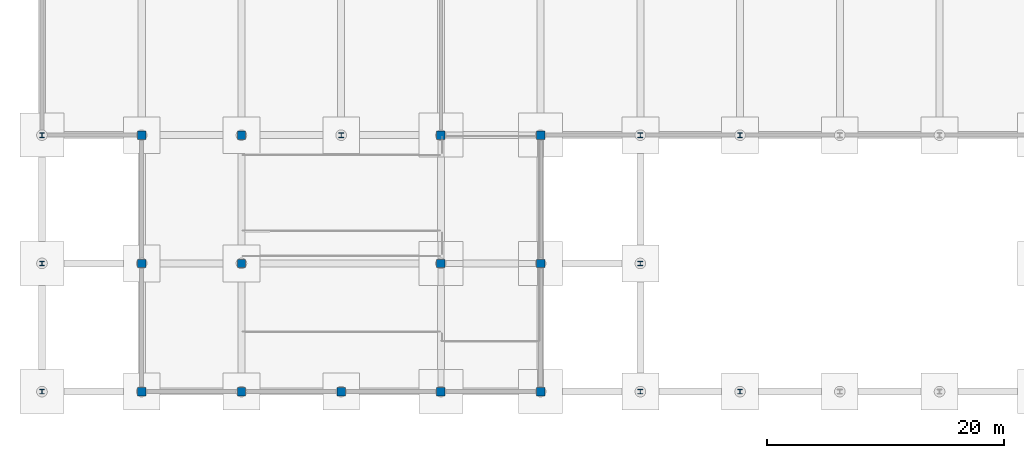
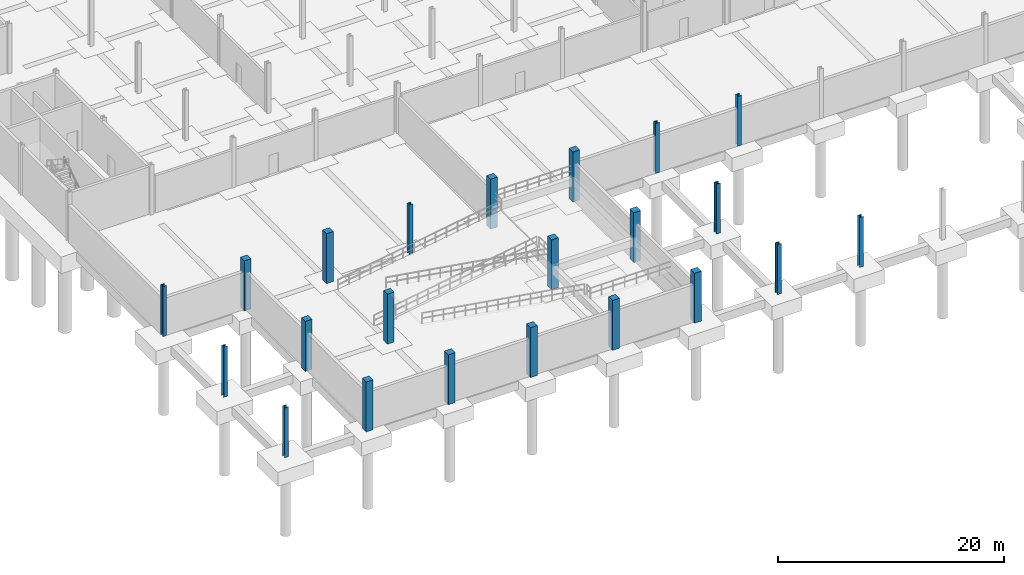
# One storey, part 7 of 36: 22 columns.
"""IFC4 building model written with IfcOpenShell, lengths in metres."""

from ifc_helpers import new_model, si_unit, direction, frame, origin, origin_2d, place, context, subcontext, project, spatial, rectangle, i_section, extrude, material, material_profile, profile_set, type_object, element, save


model = new_model("IFC4")

# Units and contexts
model_context = context("Model", 3, precision=1e-05, world=origin(), true_north=direction((0.0, 1.0)))
body_context = subcontext(model_context, "Body", "Model", "MODEL_VIEW")
ifc_project = project(units=[si_unit("LENGTHUNIT", "METRE"), si_unit("AREAUNIT", "SQUARE_METRE"), si_unit("VOLUMEUNIT", "CUBIC_METRE"), si_unit("PLANEANGLEUNIT", "RADIAN"), si_unit("MASSUNIT", "GRAM", prefix="KILO"), si_unit("THERMODYNAMICTEMPERATUREUNIT", "KELVIN"), si_unit("POWERUNIT", "WATT")], contexts=[model_context])

# Site, building, storey
site_placement = place(None, origin())
site = spatial("IfcSite", under=ifc_project, at=site_placement, CompositionType="ELEMENT")
building_placement = place(site_placement, origin())
building = spatial("IfcBuilding", under=site, at=building_placement, Name="Tembeka Court Mobility Hub", CompositionType="ELEMENT")
storey_placement = place(building_placement, frame((0.0, 0.0, -5.39990234375)))
storey = spatial("IfcBuildingStorey", under=building, at=storey_placement, Name="B1", CompositionType="ELEMENT", Elevation=-5.39990234375)

# Columns
ifc_material_1 = material(Name="Steel S355", Category="steel")
ifc_material_profile_1 = material_profile(ifc_material_1, i_section(OverallWidth=0.39892578125, OverallDepth=0.39404296875, WebThickness=0.022705078125, FlangeThickness=0.03662109375, FilletRadius=0.01513671875, at=origin_2d()), Name="UKC 356x406x287")
ifc_profile_set_1 = profile_set([ifc_material_profile_1], Name="Steel S355")
column_type_1 = type_object("IfcColumnType", Name="COL-C01", PredefinedType="COLUMN", material=ifc_profile_set_1)
for number, where, z_axis, x_axis, name in (
    (1, (0.0, 0.0, 0.0), (0.0, 0.0, 1.0), (1.0, 0.0, 0.0), "Column C01 (B1-001)"),
    (2, (0.0, 10.800048828125, 0.0), (0.0, 0.0, 1.0), (1.0, 0.0, 0.0), "Column C01 (B1-002)"),
    (3, (0.0, 21.60009765625, 0.0), (0.0, 0.0, 1.0), (1.0, 0.0, 0.0), "Column C01 (B1-003)"),
    (4, (25.199951171875, 21.60009765625, 0.0), (0.0, 0.0, 1.0), (1.0, 0.0, 0.0), "Column C01 (B1-038)"),
    (5, (50.39990234375, 0.0, 0.0), (0.0, 0.0, 1.0), (1.0, 0.0, 0.0), "Column C01 (B1-071)"),
    (6, (50.39990234375, 10.800048828125, 0.0), (0.0, 0.0, 1.0), (1.0, 0.0, 0.0), "Column C01 (B1-072)"),
    (7, (50.39990234375, 21.60009765625, 0.0), (0.0, 0.0, 1.0), (1.0, 0.0, 0.0), "Column C01 (B1-073)"),
    (8, (58.800048828125, 0.0, 0.0), (0.0, 0.0, 1.0), (1.0, 0.0, 0.0), "Column C01 (B1-083)"),
    (9, (58.800048828125, 21.60009765625, 0.0), (0.0, 0.0, 1.0), (1.0, 0.0, 0.0), "Column C01 (B1-084)"),
):
    element("IfcColumn", number, at=place(storey_placement, frame(where, z_axis=z_axis, x_axis=x_axis)), inside=storey, type_object=column_type_1, Name=name, PredefinedType="COLUMN", context=body_context, shape_type="SweptSolid", body=[
        extrude(i_section(OverallWidth=0.39892578125, OverallDepth=0.39404296875, WebThickness=0.022705078125, FlangeThickness=0.03662109375, FilletRadius=0.01513671875, at=origin_2d()), origin(), (0.0, 0.0, 1.0), 5.39990234375),
    ])
ifc_material_2 = material(Name="Concrete C40/50", Category="concrete")
ifc_material_profile_2 = material_profile(ifc_material_2, rectangle(XDim=0.699951171875, YDim=0.699951171875, at=origin_2d()), Name="RC-COL 700x700")
ifc_profile_set_2 = profile_set([ifc_material_profile_2], Name="Concrete C40/50")
column_type_2 = type_object("IfcColumnType", Name="COL-RC01", PredefinedType="COLUMN", material=ifc_profile_set_2)
for number, where, z_axis, x_axis, name in (
    (10, (8.39990234375, 0.0, 0.0), (0.0, 0.0, 1.0), (1.0, 0.0, 0.0), "Column RC01 (B1-013)"),
    (11, (8.39990234375, 10.800048828125, 0.0), (0.0, 0.0, 1.0), (1.0, 0.0, 0.0), "Column RC01 (B1-014)"),
    (12, (8.39990234375, 21.60009765625, 0.0), (0.0, 0.0, 1.0), (1.0, 0.0, 0.0), "Column RC01 (B1-015)"),
    (13, (16.800048828125, 0.0, 0.0), (0.0, 0.0, 1.0), (1.0, 0.0, 0.0), "Column RC01 (B1-025)"),
    (14, (16.800048828125, 10.800048828125, 0.0), (0.0, 0.0, 1.0), (1.0, 0.0, 0.0), "Column RC01 (B1-026)"),
    (15, (16.800048828125, 21.60009765625, 0.0), (0.0, 0.0, 1.0), (1.0, 0.0, 0.0), "Column RC01 (B1-027)"),
    (16, (25.199951171875, 0.0, 0.0), (0.0, 0.0, 1.0), (1.0, 0.0, 0.0), "Column RC01 (B1-037)"),
    (17, (33.60009765625, 0.0, 0.0), (0.0, 0.0, 1.0), (1.0, 0.0, 0.0), "Column RC01 (B1-047)"),
    (18, (33.60009765625, 10.800048828125, 0.0), (0.0, 0.0, 1.0), (1.0, 0.0, 0.0), "Column RC01 (B1-048)"),
    (19, (33.60009765625, 21.60009765625, 0.0), (0.0, 0.0, 1.0), (1.0, 0.0, 0.0), "Column RC01 (B1-049)"),
    (20, (42.0, 0.0, 0.0), (0.0, 0.0, 1.0), (1.0, 0.0, 0.0), "Column RC01 (B1-059)"),
    (21, (42.0, 10.800048828125, 0.0), (0.0, 0.0, 1.0), (1.0, 0.0, 0.0), "Column RC01 (B1-060)"),
    (22, (42.0, 21.60009765625, 0.0), (0.0, 0.0, 1.0), (1.0, 0.0, 0.0), "Column RC01 (B1-061)"),
):
    element("IfcColumn", number, at=place(storey_placement, frame(where, z_axis=z_axis, x_axis=x_axis)), inside=storey, type_object=column_type_2, Name=name, PredefinedType="COLUMN", context=body_context, shape_type="SweptSolid", body=[
        extrude(rectangle(XDim=0.699951171875, YDim=0.699951171875, at=origin_2d()), origin(), (0.0, 0.0, 1.0), 5.39990234375),
    ])

save(model, "model.ifc")
